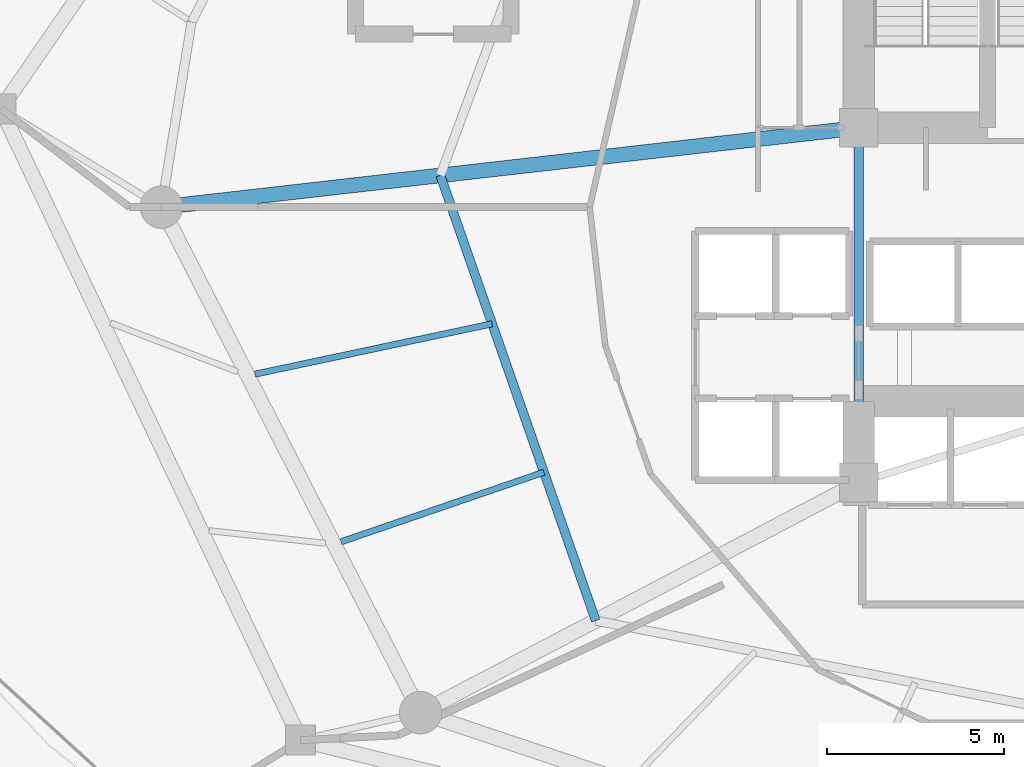
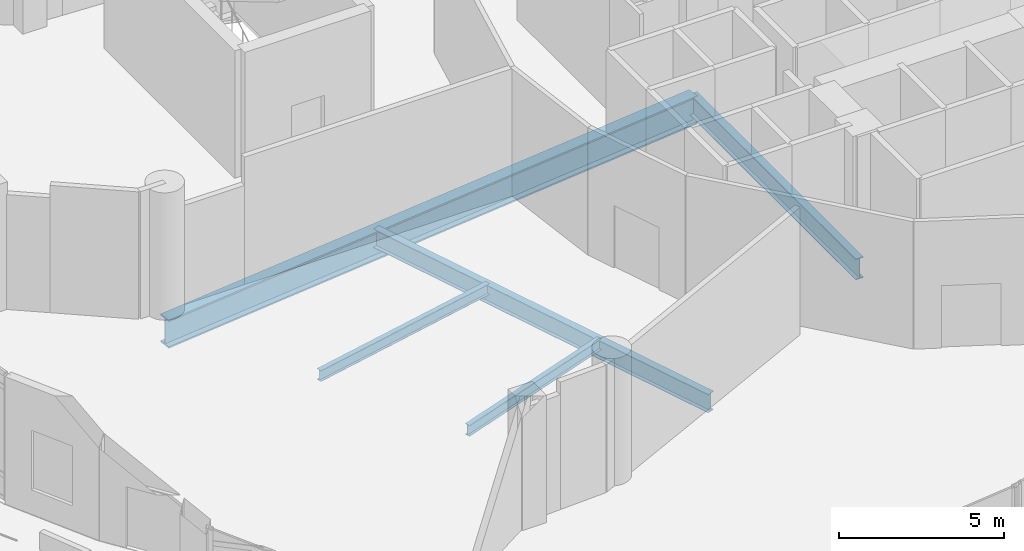
# One storey, part 8 of 36: 5 beams.
"""IFC4 building model written with IfcOpenShell, lengths in metres."""

from ifc_helpers import new_model, si_unit, direction, frame, origin, origin_2d, place, context, subcontext, project, spatial, i_section, extrude, material, material_profile, profile_set, type_object, element, save


model = new_model("IFC4")

# Units and contexts
model_context = context("Model", 3, precision=1e-05, world=origin(), true_north=direction((0.0, 1.0)))
body_context = subcontext(model_context, "Body", "Model", "MODEL_VIEW")
ifc_project = project(units=[si_unit("LENGTHUNIT", "METRE"), si_unit("AREAUNIT", "SQUARE_METRE"), si_unit("VOLUMEUNIT", "CUBIC_METRE"), si_unit("PLANEANGLEUNIT", "RADIAN"), si_unit("MASSUNIT", "GRAM", prefix="KILO")], contexts=[model_context])

# Site, building, storey
site_placement = place(None, origin())
site = spatial("IfcSite", under=ifc_project, at=site_placement, CompositionType="ELEMENT")
building_placement = place(site_placement, origin())
building = spatial("IfcBuilding", under=site, at=building_placement, Name="Nuhasar Tower", CompositionType="ELEMENT")
storey_placement = place(building_placement, frame((0.0, 0.0, 11.0)))
storey = spatial("IfcBuildingStorey", under=building, at=storey_placement, Name="L02", CompositionType="ELEMENT", Elevation=11.0)

# Beams
ifc_material_1 = material(Name="Steel S355", Category="steel")
ifc_material_profile_1 = material_profile(ifc_material_1, i_section(OverallWidth=0.25390625, OverallDepth=0.68408203125, WebThickness=0.012451171875, FlangeThickness=0.018798828125, at=origin_2d()), Name="W27X94")
ifc_profile_set_1 = profile_set([ifc_material_profile_1], Name="Steel S355")
beam_type_1 = type_object("IfcBeamType", Name="BM-INRING-W27X94", PredefinedType="BEAM", material=ifc_profile_set_1)
beam_1_placement = place(storey_placement, frame((21.85009765625, 27.699951171875, -0.64208984375), z_axis=(0.329554049858, -0.944136710558, 0.0), x_axis=(0.944136710558, 0.329554049858, 0.0)))
element("IfcBeam", 1, at=beam_1_placement, inside=storey, type_object=beam_type_1, Name="L02 Inner Header Beam 08", PredefinedType="BEAM", context=body_context, shape_type="SweptSolid", body=[
    extrude(i_section(OverallWidth=0.25390625, OverallDepth=0.68408203125, WebThickness=0.012451171875, FlangeThickness=0.018798828125, at=origin_2d()), origin(), (0.0, 0.0, 1.0), 13.35693359375),
])
ifc_material_profile_2 = material_profile(ifc_material_1, i_section(OverallWidth=0.177978515625, OverallDepth=0.406005859375, WebThickness=0.0078125, FlangeThickness=0.0126953125, at=origin_2d()), Name="W16X40")
ifc_profile_set_2 = profile_set([ifc_material_profile_2], Name="Steel S355")
beam_type_2 = type_object("IfcBeamType", Name="BM-JST-W16X40", PredefinedType="JOIST", material=ifc_profile_set_2)
beam_2_placement = place(storey_placement, frame((23.31689453125, 23.49609375, -0.5029296875), z_axis=(-0.978201506775, -0.207657920972, 0.0), x_axis=(0.207657920972, -0.978201506775, 0.0)))
element("IfcBeam", 2, at=beam_2_placement, inside=storey, type_object=beam_type_2, Name="L02 Secondary Floor Joist 15", PredefinedType="JOIST", context=body_context, shape_type="SweptSolid", body=[
    extrude(i_section(OverallWidth=0.177978515625, OverallDepth=0.406005859375, WebThickness=0.0078125, FlangeThickness=0.0126953125, at=origin_2d()), origin(), (0.0, 0.0, 1.0), 6.862548828125),
])
beam_3_placement = place(storey_placement, frame((24.784912109375, 19.29296875, -0.5029296875), z_axis=(-0.945915296606, -0.324413704469, 0.0), x_axis=(0.324413704469, -0.945915296606, 0.0)))
element("IfcBeam", 3, at=beam_3_placement, inside=storey, type_object=beam_type_2, Name="L02 Secondary Floor Joist 16", PredefinedType="JOIST", context=body_context, shape_type="SweptSolid", body=[
    extrude(i_section(OverallWidth=0.177978515625, OverallDepth=0.406005859375, WebThickness=0.0078125, FlangeThickness=0.0126953125, at=origin_2d()), origin(), (0.0, 0.0, 1.0), 6.075439453125),
])
ifc_material_profile_3 = material_profile(ifc_material_1, i_section(OverallWidth=0.26611328125, OverallDepth=0.779052734375, WebThickness=0.0166015625, FlangeThickness=0.030029296875, at=origin_2d()), Name="W30X148")
ifc_profile_set_3 = profile_set([ifc_material_profile_3], Name="Steel S355")
beam_type_3 = type_object("IfcBeamType", Name="BM-RAD-W30X148", PredefinedType="BEAM", material=ifc_profile_set_3)
beam_4_placement = place(storey_placement, frame((33.699951171875, 29.050048828125, -0.68994140625), z_axis=(0.0, -1.0, 0.0), x_axis=(1.0, 0.0, 0.0)))
element("IfcBeam", 4, at=beam_4_placement, inside=storey, type_object=beam_type_3, Name="L02 Core Ring Girder 8", PredefinedType="BEAM", context=body_context, shape_type="SweptSolid", body=[
    extrude(i_section(OverallWidth=0.26611328125, OverallDepth=0.779052734375, WebThickness=0.0166015625, FlangeThickness=0.030029296875, at=origin_2d()), origin(), (0.0, 0.0, 1.0), 10.050048828125),
])
ifc_material_2 = material(Name="Steel S460", Category="steel")
ifc_material_profile_4 = material_profile(ifc_material_2, i_section(OverallWidth=0.419921875, OverallDepth=1.0400390625, WebThickness=0.031005859375, FlangeThickness=0.055908203125, at=origin_2d()), Name="W40X397")
ifc_profile_set_4 = profile_set([ifc_material_profile_4], Name="Steel S460")
beam_type_4 = type_object("IfcBeamType", Name="BM-XFER-W40X397", PredefinedType="USERDEFINED", material=ifc_profile_set_4)
beam_5_placement = place(storey_placement, frame((33.699951171875, 29.050048828125, -0.820068359375), z_axis=(-0.993573147212, -0.113191877531, 0.0), x_axis=(0.113191877531, -0.993573147212, 0.0)))
element("IfcBeam", 5, at=beam_5_placement, inside=storey, type_object=beam_type_4, Name="L02 Radial Floor Girder 08", ObjectType="GIRDER", PredefinedType="USERDEFINED", context=body_context, shape_type="SweptSolid", body=[
    extrude(i_section(OverallWidth=0.419921875, OverallDepth=1.0400390625, WebThickness=0.031005859375, FlangeThickness=0.055908203125, at=origin_2d()), origin(), (0.0, 0.0, 1.0), 19.877685546875),
])

save(model, "model.ifc")
